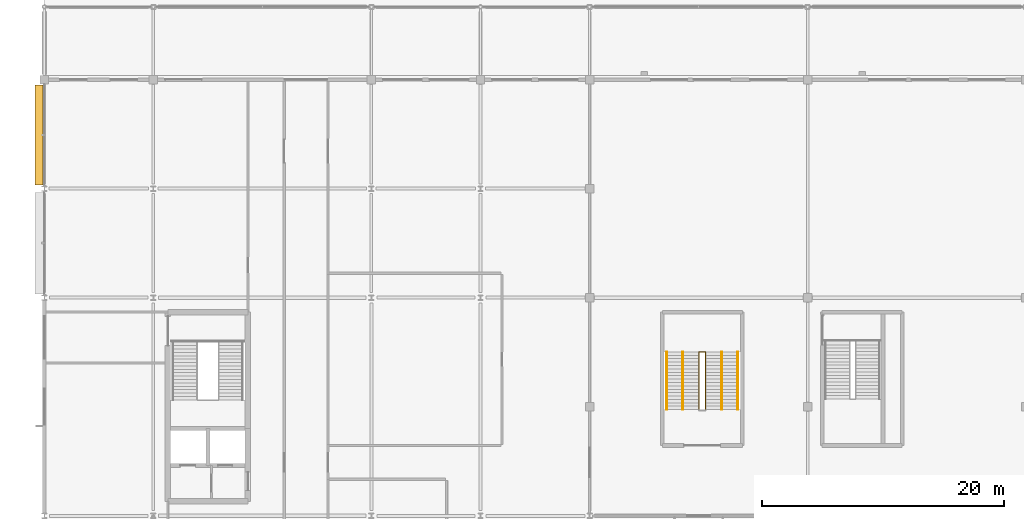
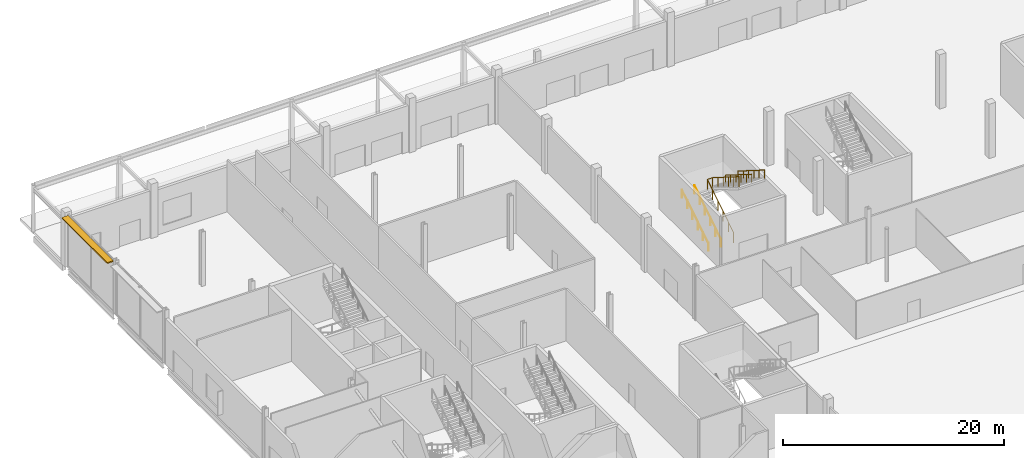
# One storey, part 75 of 84: 5 railings, 1 shading device.
"""IFC4 building model written with IfcOpenShell, lengths in metres."""

from ifc_helpers import new_model, si_unit, direction, frame, origin, origin_2d, place, context, subcontext, project, spatial, rectangle, circle, extrude, material, type_object, element, save


model = new_model("IFC4")

# Units and contexts
model_context = context("Model", 3, precision=1e-05, world=origin(), true_north=direction((0.0, 1.0)))
body_context = subcontext(model_context, "Body", "Model", "MODEL_VIEW")
ifc_project = project(units=[si_unit("LENGTHUNIT", "METRE"), si_unit("AREAUNIT", "SQUARE_METRE"), si_unit("VOLUMEUNIT", "CUBIC_METRE"), si_unit("PLANEANGLEUNIT", "RADIAN"), si_unit("MASSUNIT", "GRAM", prefix="KILO")], contexts=[model_context])

# Site, building, storey
site_placement = place(None, origin())
site = spatial("IfcSite", under=ifc_project, at=site_placement, CompositionType="ELEMENT")
building_placement = place(site_placement, origin())
building = spatial("IfcBuilding", under=site, at=building_placement, Name="Kisiwana Market Hall", CompositionType="ELEMENT")
storey_placement = place(building_placement, origin())
storey = spatial("IfcBuildingStorey", under=building, at=storey_placement, Name="L00", CompositionType="ELEMENT", Elevation=0.0)

# Railings
ifc_material_1 = material(Name="Steel S275", Category="steel")
railing_type_1 = type_object("IfcRailingType", Name="RL-GUARD-1100", PredefinedType="GUARDRAIL", material=ifc_material_1)
railing_1_placement = place(storey_placement, frame((54.02001953125, 92.760009765625, 0.0)))
element("IfcRailing", 1, at=railing_1_placement, inside=storey, type_object=railing_type_1, Name="Stair ST-N3-L00 inner-well guardrail (RL-269)", PredefinedType="GUARDRAIL", context=body_context, shape_type="SweptSolid", body=[
    extrude(circle(Radius=0.02392578125, at=origin_2d()), frame((0.0, 0.0, 1.076171875), z_axis=(0.0, 0.845995810448, 0.533189542944), x_axis=(-1.0, 0.0, 0.0)), (0.0, 0.0, 1.0), 5.62646484375),
    extrude(circle(Radius=0.02392578125, at=origin_2d()), frame((0.0, 4.760009765625, 4.076171875), z_axis=(1.0, 0.0, 0.0), x_axis=(0.0, 1.0, 0.0)), (0.0, 0.0, 1.0), 0.56005859375),
    extrude(circle(Radius=0.02392578125, at=origin_2d()), frame((0.56005859375, 4.760009765625, 4.076171875), z_axis=(0.0, -0.845995810448, 0.533189542944), x_axis=(1.0, 0.0, 0.0)), (0.0, 0.0, 1.0), 5.62646484375),
    extrude(circle(Radius=0.02099609375, at=origin_2d()), origin(), (0.0, 0.0, 1.0), 1.052001953125),
    extrude(circle(Radius=0.02099609375, at=origin_2d()), frame((0.0, 0.951904296875, 0.60009765625)), (0.0, 0.0, 1.0), 1.052001953125),
    extrude(circle(Radius=0.02099609375, at=origin_2d()), frame((0.0, 1.904052734375, 1.199951171875)), (0.0, 0.0, 1.0), 1.052001953125),
    extrude(circle(Radius=0.02099609375, at=origin_2d()), frame((0.0, 2.85595703125, 1.800048828125)), (0.0, 0.0, 1.0), 1.052001953125),
    extrude(circle(Radius=0.02099609375, at=origin_2d()), frame((0.0, 3.80810546875, 2.39990234375)), (0.0, 0.0, 1.0), 1.052001953125),
    extrude(circle(Radius=0.02099609375, at=origin_2d()), frame((0.0, 4.760009765625, 3.0)), (0.0, 0.0, 1.0), 1.052001953125),
    extrude(circle(Radius=0.02099609375, at=origin_2d()), frame((0.56005859375, 4.760009765625, 3.0)), (0.0, 0.0, 1.0), 1.052001953125),
    extrude(circle(Radius=0.02099609375, at=origin_2d()), frame((0.56005859375, 3.80810546875, 3.60009765625)), (0.0, 0.0, 1.0), 1.052001953125),
    extrude(circle(Radius=0.02099609375, at=origin_2d()), frame((0.56005859375, 2.85595703125, 4.199951171875)), (0.0, 0.0, 1.0), 1.052001953125),
    extrude(circle(Radius=0.02099609375, at=origin_2d()), frame((0.56005859375, 1.904052734375, 4.800048828125)), (0.0, 0.0, 1.0), 1.052001953125),
    extrude(circle(Radius=0.02099609375, at=origin_2d()), frame((0.56005859375, 0.951904296875, 5.39990234375)), (0.0, 0.0, 1.0), 1.052001953125),
    extrude(circle(Radius=0.02099609375, at=origin_2d()), frame((0.56005859375, 0.0, 6.0)), (0.0, 0.0, 1.0), 1.052001953125),
])
ifc_material_2 = material(Name="Steel S275", Category="steel")
railing_type_2 = type_object("IfcRailingType", Name="RL-HAND-900", PredefinedType="HANDRAIL", material=ifc_material_2)
railing_2_placement = place(storey_placement, frame((51.3701171875, 92.760009765625, 0.0)))
element("IfcRailing", 2, at=railing_2_placement, inside=storey, type_object=railing_type_2, Name="Stair ST-N3-L00 flight 1 handrail (RL-270)", PredefinedType="HANDRAIL", context=body_context, shape_type="SweptSolid", body=[
    extrude(circle(Radius=0.02392578125, at=origin_2d()), frame((0.0, 0.0, 0.8759765625), z_axis=(0.0, 0.845995810448, 0.533189542944), x_axis=(-1.0, 0.0, 0.0)), (0.0, 0.0, 1.0), 5.62646484375),
    extrude(circle(Radius=0.02099609375, at=origin_2d()), origin(), (0.0, 0.0, 1.0), 0.851806640625),
    extrude(circle(Radius=0.02099609375, at=origin_2d()), frame((0.0, 0.951904296875, 0.60009765625)), (0.0, 0.0, 1.0), 0.851806640625),
    extrude(circle(Radius=0.02099609375, at=origin_2d()), frame((0.0, 1.904052734375, 1.199951171875)), (0.0, 0.0, 1.0), 0.851806640625),
    extrude(circle(Radius=0.02099609375, at=origin_2d()), frame((0.0, 2.85595703125, 1.800048828125)), (0.0, 0.0, 1.0), 0.851806640625),
    extrude(circle(Radius=0.02099609375, at=origin_2d()), frame((0.0, 3.80810546875, 2.39990234375)), (0.0, 0.0, 1.0), 0.851806640625),
    extrude(circle(Radius=0.02099609375, at=origin_2d()), frame((0.0, 4.760009765625, 3.0)), (0.0, 0.0, 1.0), 0.851806640625),
])
railing_3_placement = place(storey_placement, frame((57.22998046875, 97.52001953125, 3.0)))
element("IfcRailing", 3, at=railing_3_placement, inside=storey, type_object=railing_type_2, Name="Stair ST-N3-L00 flight 2 handrail (RL-271)", PredefinedType="HANDRAIL", context=body_context, shape_type="SweptSolid", body=[
    extrude(circle(Radius=0.02392578125, at=origin_2d()), frame((0.0, 0.0, 0.8759765625), z_axis=(0.0, -0.845995810448, 0.533189542944), x_axis=(1.0, 0.0, 0.0)), (0.0, 0.0, 1.0), 5.62646484375),
    extrude(circle(Radius=0.02099609375, at=origin_2d()), origin(), (0.0, 0.0, 1.0), 0.851806640625),
    extrude(circle(Radius=0.02099609375, at=origin_2d()), frame((0.0, -0.951904296875, 0.60009765625)), (0.0, 0.0, 1.0), 0.851806640625),
    extrude(circle(Radius=0.02099609375, at=origin_2d()), frame((0.0, -1.904052734375, 1.199951171875)), (0.0, 0.0, 1.0), 0.851806640625),
    extrude(circle(Radius=0.02099609375, at=origin_2d()), frame((0.0, -2.85595703125, 1.800048828125)), (0.0, 0.0, 1.0), 0.851806640625),
    extrude(circle(Radius=0.02099609375, at=origin_2d()), frame((0.0, -3.80810546875, 2.39990234375)), (0.0, 0.0, 1.0), 0.851806640625),
    extrude(circle(Radius=0.02099609375, at=origin_2d()), frame((0.0, -4.760009765625, 3.0)), (0.0, 0.0, 1.0), 0.851806640625),
])
railing_4_placement = place(storey_placement, frame((52.68994140625, 92.760009765625, 0.0)))
element("IfcRailing", 4, at=railing_4_placement, inside=storey, type_object=railing_type_2, Name="Stair ST-N3-L00 flight 1 intermediate handrail (RL-272)", PredefinedType="HANDRAIL", context=body_context, shape_type="SweptSolid", body=[
    extrude(circle(Radius=0.02392578125, at=origin_2d()), frame((0.0, 0.0, 0.8759765625), z_axis=(0.0, 0.845995810448, 0.533189542944), x_axis=(-1.0, 0.0, 0.0)), (0.0, 0.0, 1.0), 5.62646484375),
    extrude(circle(Radius=0.02099609375, at=origin_2d()), origin(), (0.0, 0.0, 1.0), 0.851806640625),
    extrude(circle(Radius=0.02099609375, at=origin_2d()), frame((0.0, 0.951904296875, 0.60009765625)), (0.0, 0.0, 1.0), 0.851806640625),
    extrude(circle(Radius=0.02099609375, at=origin_2d()), frame((0.0, 1.904052734375, 1.199951171875)), (0.0, 0.0, 1.0), 0.851806640625),
    extrude(circle(Radius=0.02099609375, at=origin_2d()), frame((0.0, 2.85595703125, 1.800048828125)), (0.0, 0.0, 1.0), 0.851806640625),
    extrude(circle(Radius=0.02099609375, at=origin_2d()), frame((0.0, 3.80810546875, 2.39990234375)), (0.0, 0.0, 1.0), 0.851806640625),
    extrude(circle(Radius=0.02099609375, at=origin_2d()), frame((0.0, 4.760009765625, 3.0)), (0.0, 0.0, 1.0), 0.851806640625),
])
railing_5_placement = place(storey_placement, frame((55.909912109375, 97.52001953125, 3.0)))
element("IfcRailing", 5, at=railing_5_placement, inside=storey, type_object=railing_type_2, Name="Stair ST-N3-L00 flight 2 intermediate handrail (RL-273)", PredefinedType="HANDRAIL", context=body_context, shape_type="SweptSolid", body=[
    extrude(circle(Radius=0.02392578125, at=origin_2d()), frame((0.0, 0.0, 0.8759765625), z_axis=(0.0, -0.845995810448, 0.533189542944), x_axis=(1.0, 0.0, 0.0)), (0.0, 0.0, 1.0), 5.62646484375),
    extrude(circle(Radius=0.02099609375, at=origin_2d()), origin(), (0.0, 0.0, 1.0), 0.851806640625),
    extrude(circle(Radius=0.02099609375, at=origin_2d()), frame((0.0, -0.951904296875, 0.60009765625)), (0.0, 0.0, 1.0), 0.851806640625),
    extrude(circle(Radius=0.02099609375, at=origin_2d()), frame((0.0, -1.904052734375, 1.199951171875)), (0.0, 0.0, 1.0), 0.851806640625),
    extrude(circle(Radius=0.02099609375, at=origin_2d()), frame((0.0, -2.85595703125, 1.800048828125)), (0.0, 0.0, 1.0), 0.851806640625),
    extrude(circle(Radius=0.02099609375, at=origin_2d()), frame((0.0, -3.80810546875, 2.39990234375)), (0.0, 0.0, 1.0), 0.851806640625),
    extrude(circle(Radius=0.02099609375, at=origin_2d()), frame((0.0, -4.760009765625, 3.0)), (0.0, 0.0, 1.0), 0.851806640625),
])

# Shading device
ifc_material_3 = material(Name="Aluminium alloy 6063-T6", Category="aluminium")
shading_device_type = type_object("IfcShadingDeviceType", Name="SHD-JALOUSIE-H", PredefinedType="JALOUSIE", material=ifc_material_3)
shading_device_placement = place(storey_placement, frame((-0.419921875, 115.426513671875, 5.56982421875), z_axis=(0.0, 0.0, 1.0), x_axis=(0.0, 1.0, 0.0)))
element("IfcShadingDevice", 6, at=shading_device_placement, inside=storey, type_object=shading_device_type, Name="Aluminium brise-soleil louvre SHD-004 SD-004", PredefinedType="JALOUSIE", context=body_context, shape_type="SweptSolid", body=[
    extrude(rectangle(XDim=8.246826171875, YDim=0.64990234375, at=origin_2d()), origin(), (0.0, 0.0, 1.0), 0.1201171875),
])

save(model, "model.ifc")
